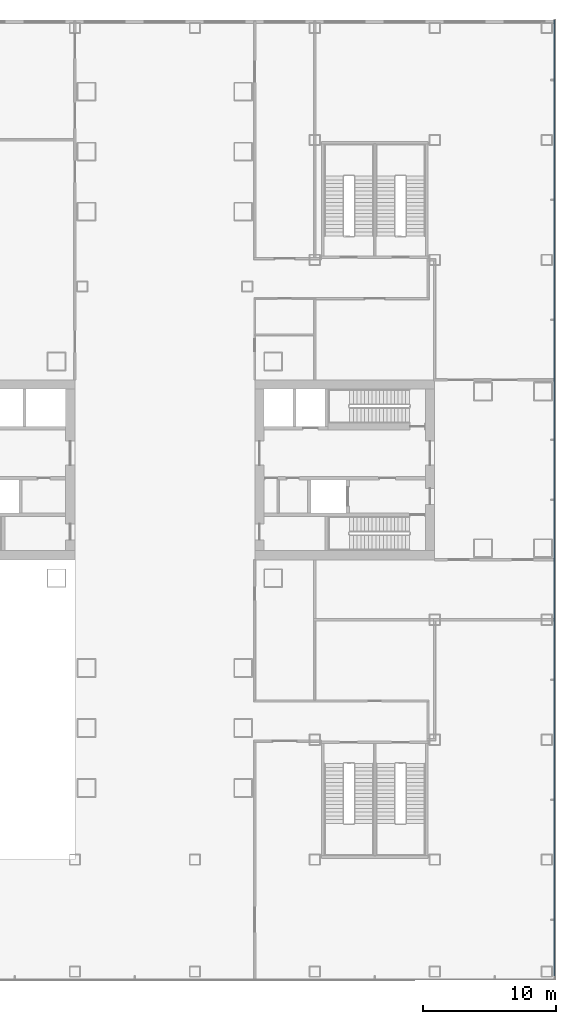
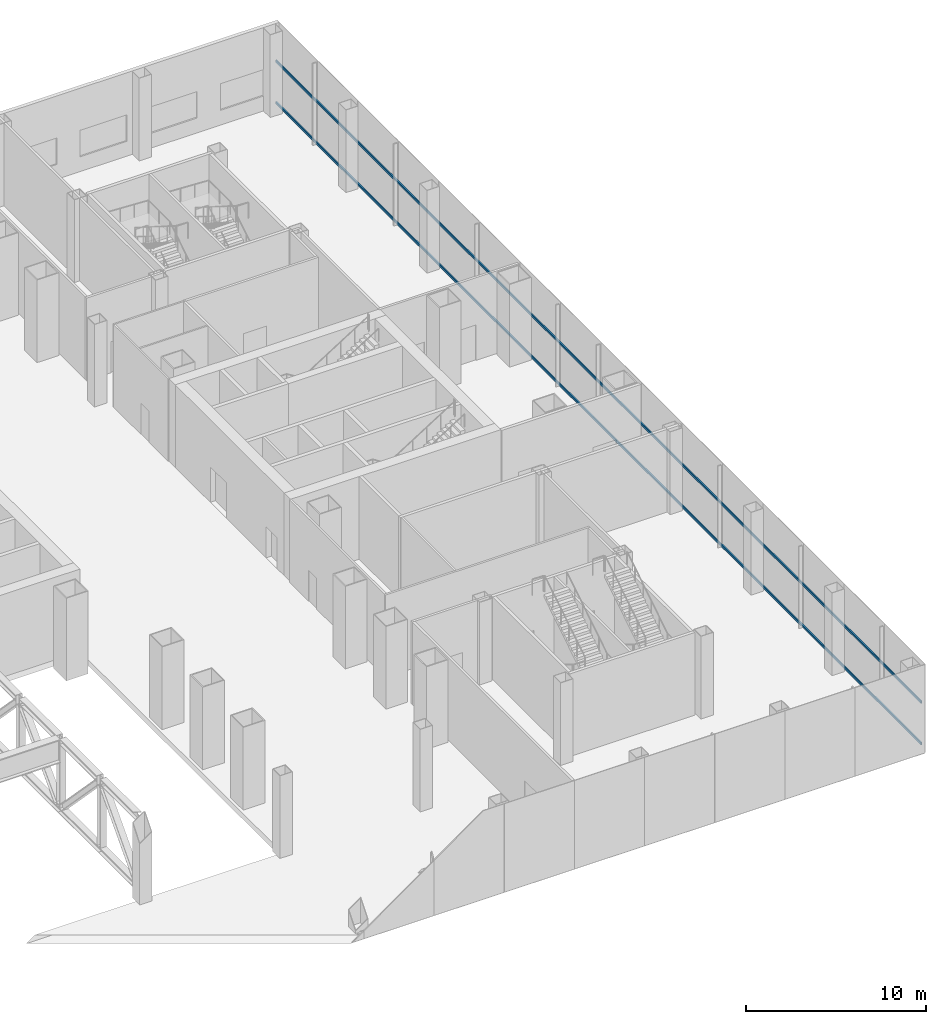
# One storey, part 14 of 33: 2 members, 1 element without a shape of its own.
"""IFC4 building model written with IfcOpenShell, lengths in metres."""

from ifc_helpers import new_model, si_unit, direction, frame, origin, origin_2d, place, context, subcontext, project, spatial, rectangle, extrude, material, layer, layer_set, material_profile, profile_set, type_object, element, aggregate, save


model = new_model("IFC4")

# Units and contexts
model_context = context("Model", 3, precision=1e-05, world=origin(), true_north=direction((0.0, 1.0)))
body_context = subcontext(model_context, "Body", "Model", "MODEL_VIEW")
ifc_project = project(units=[si_unit("LENGTHUNIT", "METRE"), si_unit("AREAUNIT", "SQUARE_METRE"), si_unit("VOLUMEUNIT", "CUBIC_METRE"), si_unit("PLANEANGLEUNIT", "RADIAN"), si_unit("MASSUNIT", "GRAM", prefix="KILO")], contexts=[model_context])

# Site, building, storey
site_placement = place(None, origin())
site = spatial("IfcSite", under=ifc_project, at=site_placement, CompositionType="ELEMENT")
building_placement = place(site_placement, origin())
building = spatial("IfcBuilding", under=site, at=building_placement, Name="Shamsa Quay Exchange Towers", CompositionType="ELEMENT")
storey_placement = place(building_placement, frame((0.0, 0.0, 6.5)))
storey = spatial("IfcBuildingStorey", under=building, at=storey_placement, Name="L01", CompositionType="ELEMENT", Elevation=6.5)

# Curtain wall, members
ifc_material = material(Name="Aluminium EN AW-6063 T6, black anodised", Category="aluminium")
ifc_layer = layer(ifc_material, 0.33203125)
ifc_layer_set = layer_set([ifc_layer], Name="CW-3 PODIUM SHOPFRONT GLAZING")
curtain_wall_type = type_object("IfcCurtainWallType", Name="CW-3 PODIUM SHOPFRONT GLAZING", PredefinedType="NOTDEFINED", material=ifc_layer_set)
curtain_wall_placement = place(storey_placement, origin())
curtain_wall = element("IfcCurtainWall", 1, at=curtain_wall_placement, inside=storey, type_object=curtain_wall_type, Name="CW3 PODIUM-L01-F00", PredefinedType="NOTDEFINED")
ifc_material_profile = material_profile(ifc_material, rectangle(XDim=0.080078125, YDim=0.159912109375, at=origin_2d()), Name="TR160x80")
ifc_profile_set = profile_set([ifc_material_profile], Name="Aluminium EN AW-6063 T6, black anodised")
member_type = type_object("IfcMemberType", Name="CW3 TRANSOM 160x80", PredefinedType="USERDEFINED", material=ifc_profile_set)
member_1_placement = place(storey_placement, frame((62.9599609375, -37.947998046875, 0.080078125), z_axis=(0.0, 1.0, 0.0), x_axis=(-1.0, 0.0, 0.0)))
member_1 = element("IfcMember", 2, at=member_1_placement, type_object=member_type, Name="CW3 transom", ObjectType="TRANSOM", PredefinedType="USERDEFINED", context=body_context, shape_type="SweptSolid", body=[
    extrude(rectangle(XDim=0.080078125, YDim=0.159912109375, at=origin_2d()), origin(), (0.0, 0.0, 1.0), 71.697998046875),
])
member_2_placement = place(storey_placement, frame((62.9599609375, -37.947998046875, 2.905029296875), z_axis=(0.0, 1.0, 0.0), x_axis=(-1.0, 0.0, 0.0)))
member_2 = element("IfcMember", 3, at=member_2_placement, type_object=member_type, Name="CW3 transom", ObjectType="TRANSOM", PredefinedType="USERDEFINED", context=body_context, shape_type="SweptSolid", body=[
    extrude(rectangle(XDim=0.080078125, YDim=0.159912109375, at=origin_2d()), origin(), (0.0, 0.0, 1.0), 71.697998046875),
])
aggregate(curtain_wall, [member_1, member_2])

save(model, "model.ifc")
